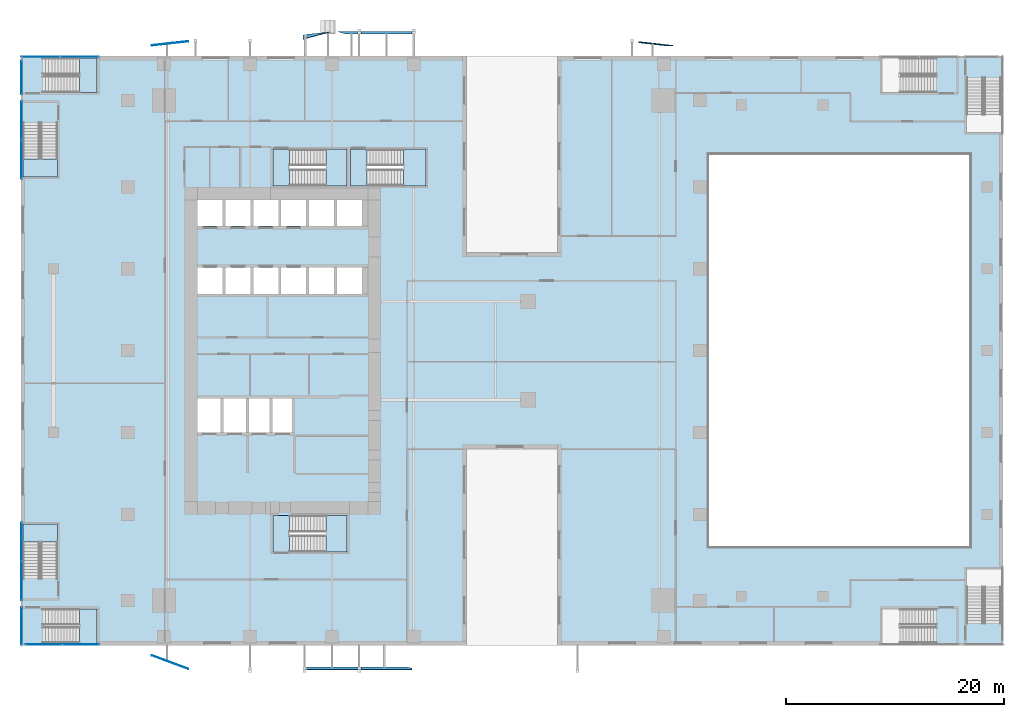
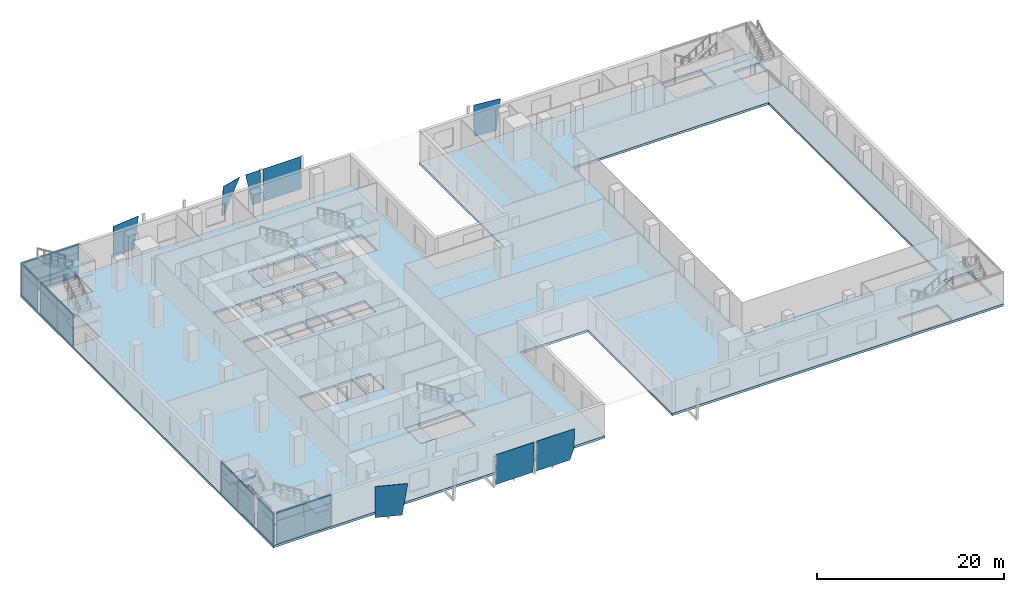
# One storey, part 8 of 21: 28 plates, 11 slabs, 13 elements without a shape of their own.
"""IFC4 building model written with IfcOpenShell, lengths in metres."""

from ifc_helpers import new_model, si_unit, direction, frame, origin, origin_2d, place, context, subcontext, project, spatial, polyline, rectangle, outline, extrude, source, transform, mapped, material, layer, layer_set, type_object, element, aggregate, save


model = new_model("IFC4")

# Units and contexts
model_context = context("Model", 3, precision=1e-05, world=origin(), true_north=direction((0.0, 1.0)))
body_context = subcontext(model_context, "Body", "Model", "MODEL_VIEW")
ifc_project = project(units=[si_unit("LENGTHUNIT", "METRE"), si_unit("AREAUNIT", "SQUARE_METRE"), si_unit("VOLUMEUNIT", "CUBIC_METRE"), si_unit("PLANEANGLEUNIT", "RADIAN"), si_unit("MASSUNIT", "GRAM", prefix="KILO")], contexts=[model_context])

# Site, building, storey
site_placement = place(None, origin())
site = spatial("IfcSite", under=ifc_project, at=site_placement, CompositionType="ELEMENT")
building_placement = place(site_placement, origin())
building = spatial("IfcBuilding", under=site, at=building_placement, Name="Khomas Fold Tower", CompositionType="ELEMENT")
storey_placement = place(building_placement, frame((0.0, 0.0, 28.5)))
storey = spatial("IfcBuildingStorey", under=building, at=storey_placement, Name="L05", CompositionType="ELEMENT", Elevation=28.5)

# Plates
ifc_material_1 = material(Name="Clear laminated glass", Category="glass")
ifc_layer_1 = layer(ifc_material_1, 0.0400390625)
ifc_layer_set_1 = layer_set([ifc_layer_1], Name="Clear laminated glass")
plate_type_1 = type_object("IfcPlateType", Name="SK-Clear laminated glass leaf", PredefinedType="SHEET", material=ifc_layer_set_1)
plate_1_placement = place(storey_placement, frame((6.33447265625, -2.137939453125, 4.050048828125), z_axis=(0.348052692412, 0.937474971991, 1.3979746e-05), x_axis=(-0.139608360826, 0.051846599826, -0.98884854031)))
element("IfcPlate", 1, at=plate_1_placement, inside=storey, type_object=plate_type_1, Name="OUTER SKIN glass L05 SG098-1", PredefinedType="SHEET", context=body_context, shape_type="SweptSolid", body=[
    extrude(outline(polyline([(0.0, 0.0), (4.095722108914045, 0.0), (4.534593148215177, 2.9140700523194694), (0.5297082763380947, 3.5172223299418808), (0.0, 0.0)])), origin(), (0.0, 0.0, -1.0), 0.0400390625),
])
plate_2_placement = place(storey_placement, frame((21.830078125, -2.212890625, 4.050048828125), z_axis=(0.0, 0.998627623239, 0.052372417398), x_axis=(0.0, 0.052372417398, -0.998627623239)))
element("IfcPlate", 2, at=plate_2_placement, inside=storey, type_object=plate_type_1, Name="OUTER SKIN glass L05 SG101-4", PredefinedType="SHEET", context=body_context, shape_type="SweptSolid", body=[
    extrude(outline(polyline([(0.0, 0.0), (4.055614659435384, 0.0), (4.055614659435384, 4.66015625), (0.0, 4.66015625), (0.0, 0.0)])), origin(), (0.0, 0.0, -1.0), 0.0400390625),
])
plate_3_placement = place(storey_placement, frame((26.830078125, -2.212890625, 4.050048828125), z_axis=(-9.655075e-06, 0.998627569161, 0.052373447642), x_axis=(3.1e-10, 0.052373447644, -0.998627569208)))
element("IfcPlate", 3, at=plate_3_placement, inside=storey, type_object=plate_type_1, Name="OUTER SKIN glass L05 SG102-6", PredefinedType="SHEET", context=body_context, shape_type="SweptSolid", body=[
    extrude(outline(polyline([(0.0, 0.0), (2.6740846462262167, -4.235164736271502e-22), (4.055614659298971, 0.43334961065165145), (4.055614657989482, 4.660156251079639), (-1.4437434207877212e-09, 4.660156249782789), (0.0, 0.0)])), origin(), (0.0, 0.0, -1.0), 0.0400390625),
])
plate_4_placement = place(storey_placement, frame((6.330078125, 55.31103515625, 4.050048828125), z_axis=(0.110671752794, -0.993857013406, 6.131637e-06), x_axis=(-0.139775365981, -0.015570907319, -0.990060803138)))
element("IfcPlate", 4, at=plate_4_placement, inside=storey, type_object=plate_type_1, Name="OUTER SKIN glass L05 NG098-1", PredefinedType="SHEET", context=body_context, shape_type="SweptSolid", body=[
    extrude(outline(polyline([(0.0, 0.0), (4.090707172166267, -1.1102230246251565e-16), (4.481653799280245, -2.7521399778874596), (0.4718592037587327, -3.3217387939909164), (0.0, 0.0)])), origin(), (0.0, 0.0, -1.0), 0.0400390625),
])
plate_5_placement = place(storey_placement, frame((19.28955078125, 56.191162109375, 4.05322265625), z_axis=(-0.257353139323, 0.962804507714, 0.082321574363), x_axis=(-0.458012067112, -0.046522106178, -0.887727796127)))
element("IfcPlate", 5, at=plate_5_placement, inside=storey, type_object=plate_type_1, Name="OUTER SKIN glass L05 NG101-4", PredefinedType="SHEET", context=body_context, shape_type="SweptSolid", body=[
    extrude(outline(polyline([(0.0, 0.0), (4.562272803376858, 0.0), (4.722385490671361, 0.3138192872770944), (1.1431501236322101, 2.2404272336108098), (0.0, 0.0)])), origin(), (0.0, 0.0, -1.0), 0.0400390625),
])
plate_6_placement = place(storey_placement, frame((20.039794921875, 56.212890625, 4.050048828125), z_axis=(0.0, -0.998627623239, 0.052372417398), x_axis=(1.0, 0.0, 0.0)))
element("IfcPlate", 6, at=plate_6_placement, inside=storey, type_object=plate_type_1, Name="OUTER SKIN glass L05 NG101-5", PredefinedType="SHEET", context=body_context, shape_type="SweptSolid", body=[
    extrude(outline(polyline([(0.0, 0.0), (1.790283203125, 0.0), (1.790283203125, -4.055614659435384), (0.7158203125, -4.055614659435384), (0.0, 0.0)])), origin(), (0.0, 0.0, -1.0), 0.0400390625),
])
plate_7_placement = place(storey_placement, frame((26.830078125, 56.212890625, 4.050048828125), z_axis=(0.0, -0.998627623239, 0.052372417398), x_axis=(0.0, -0.052372417398, -0.998627623239)))
element("IfcPlate", 7, at=plate_7_placement, inside=storey, type_object=plate_type_1, Name="OUTER SKIN glass L05 NG102-7", PredefinedType="SHEET", context=body_context, shape_type="SweptSolid", body=[
    extrude(outline(polyline([(0.0, 0.0), (4.055614659435384, 0.0), (4.055614659435384, -4.66015625), (0.0, -4.66015625), (0.0, 0.0)])), origin(), (0.0, 0.0, -1.0), 0.0400390625),
])
plate_8_placement = place(storey_placement, frame((47.60009765625, 55.271484375, 4.050048828125), z_axis=(-0.110637775871, -0.993738452639, 0.015593918591), x_axis=(0.993859299174, -0.110651224332, 3.80897e-07)))
element("IfcPlate", 8, at=plate_8_placement, inside=storey, type_object=plate_type_1, Name="OUTER SKIN glass L05 NG107-10", PredefinedType="SHEET", context=body_context, shape_type="SweptSolid", body=[
    extrude(outline(polyline([(0.0, 0.0), (3.1536343462793224, 8.673617379884035e-19), (2.585609214914533, -4.050542328710477), (0.007022216704433339, -4.050540145057488), (0.0, 0.0)])), origin(), (0.0, 0.0, -1.0), 0.0400390625),
])

# Slab
ifc_material_2 = material(Name="Concrete C40/50", Category="concrete")
ifc_layer_2 = layer(ifc_material_2, 0.300048828125)
ifc_layer_set_2 = layer_set([ifc_layer_2], Name="Concrete C40/50")
slab_type_1 = type_object("IfcSlabType", Name="RC floor slab 300", PredefinedType="FLOOR", material=ifc_layer_set_2)
shared_shape_1 = source(origin(), body_context, "Body", "SweptSolid", [
    extrude(outline(polyline([(-9.0, 0.0), (31.85009765625, 0.0), (31.85009765625, 18.0), (40.14990234375, 18.0), (40.14990234375, 0.0), (81.0, 0.0), (81.0, 54.0), (40.14990234375, 54.0), (40.14990234375, 36.0), (31.85009765625, 36.0), (31.85009765625, 54.0), (-9.0, 54.0), (-9.0, 0.0)]), holes=[polyline([(-8.800048828125, 6.2099609375), (-8.800048828125, 11.10009765625), (-5.64990234375, 11.10009765625), (-5.64990234375, 6.2099609375), (-8.800048828125, 6.2099609375)]), polyline([(-8.800048828125, 42.89990234375), (-8.800048828125, 47.7900390625), (-5.64990234375, 47.7900390625), (-5.64990234375, 42.89990234375), (-8.800048828125, 42.89990234375)]), polyline([(-6.889892578125, 0.199951171875), (-6.889892578125, 3.35009765625), (-2.0, 3.35009765625), (-2.0, 0.199951171875), (-6.889892578125, 0.199951171875)]), polyline([(-6.889892578125, 50.64990234375), (-6.889892578125, 53.800048828125), (-2.0, 53.800048828125), (-2.0, 50.64990234375), (-6.889892578125, 50.64990234375)]), polyline([(7.199951171875, 19.5), (7.199951171875, 22.60009765625), (9.300048828125, 22.60009765625), (9.300048828125, 19.5), (7.199951171875, 19.5)]), polyline([(7.199951171875, 32.199951171875), (7.199951171875, 34.60009765625), (9.5, 34.60009765625), (9.5, 32.199951171875), (7.199951171875, 32.199951171875)]), polyline([(7.199951171875, 38.39990234375), (7.199951171875, 40.800048828125), (9.5, 40.800048828125), (9.5, 38.39990234375), (7.199951171875, 38.39990234375)]), polyline([(9.550048828125, 19.5), (9.550048828125, 22.60009765625), (11.64990234375, 22.60009765625), (11.64990234375, 19.5), (9.550048828125, 19.5)]), polyline([(9.75, 32.199951171875), (9.75, 34.60009765625), (12.050048828125, 34.60009765625), (12.050048828125, 32.199951171875), (9.75, 32.199951171875)]), polyline([(9.75, 38.39990234375), (9.75, 40.800048828125), (12.050048828125, 40.800048828125), (12.050048828125, 38.39990234375), (9.75, 38.39990234375)]), polyline([(11.89990234375, 19.5), (11.89990234375, 22.60009765625), (13.800048828125, 22.60009765625), (13.800048828125, 19.5), (11.89990234375, 19.5)]), polyline([(12.300048828125, 32.199951171875), (12.300048828125, 34.60009765625), (14.60009765625, 34.60009765625), (14.60009765625, 32.199951171875), (12.300048828125, 32.199951171875)]), polyline([(12.300048828125, 38.39990234375), (12.300048828125, 40.800048828125), (14.60009765625, 40.800048828125), (14.60009765625, 38.39990234375), (12.300048828125, 38.39990234375)]), polyline([(14.050048828125, 19.5), (14.050048828125, 22.60009765625), (15.949951171875, 22.60009765625), (15.949951171875, 19.5), (14.050048828125, 19.5)]), polyline([(14.10009765625, 8.550048828125), (14.10009765625, 11.89990234375), (20.89990234375, 11.89990234375), (20.89990234375, 8.550048828125), (14.10009765625, 8.550048828125)]), polyline([(14.10009765625, 42.10009765625), (14.10009765625, 45.449951171875), (20.89990234375, 45.449951171875), (20.89990234375, 42.10009765625), (14.10009765625, 42.10009765625)]), polyline([(14.85009765625, 32.199951171875), (14.85009765625, 34.60009765625), (17.14990234375, 34.60009765625), (17.14990234375, 32.199951171875), (14.85009765625, 32.199951171875)]), polyline([(14.85009765625, 38.39990234375), (14.85009765625, 40.800048828125), (17.14990234375, 40.800048828125), (17.14990234375, 38.39990234375), (14.85009765625, 38.39990234375)]), polyline([(17.39990234375, 32.199951171875), (17.39990234375, 34.60009765625), (19.699951171875, 34.60009765625), (19.699951171875, 32.199951171875), (17.39990234375, 32.199951171875)]), polyline([(17.39990234375, 38.39990234375), (17.39990234375, 40.800048828125), (19.699951171875, 40.800048828125), (19.699951171875, 38.39990234375), (17.39990234375, 38.39990234375)]), polyline([(19.949951171875, 32.199951171875), (19.949951171875, 34.60009765625), (22.25, 34.60009765625), (22.25, 32.199951171875), (19.949951171875, 32.199951171875)]), polyline([(19.949951171875, 38.39990234375), (19.949951171875, 40.800048828125), (22.25, 40.800048828125), (22.25, 38.39990234375), (19.949951171875, 38.39990234375)]), polyline([(21.199951171875, 42.10009765625), (21.199951171875, 45.449951171875), (28.10009765625, 45.449951171875), (28.10009765625, 42.10009765625), (21.199951171875, 42.10009765625)]), polyline([(54.0, 9.0), (54.0, 45.0), (78.0, 45.0), (78.0, 9.0), (54.0, 9.0)]), polyline([(69.89990234375, 0.199951171875), (69.89990234375, 3.35009765625), (74.7900390625, 3.35009765625), (74.7900390625, 0.199951171875), (69.89990234375, 0.199951171875)]), polyline([(69.89990234375, 50.64990234375), (69.89990234375, 53.800048828125), (74.7900390625, 53.800048828125), (74.7900390625, 50.64990234375), (69.89990234375, 50.64990234375)]), polyline([(77.64990234375, 2.110107421875), (77.64990234375, 7.0), (80.800048828125, 7.0), (80.800048828125, 2.110107421875), (77.64990234375, 2.110107421875)]), polyline([(77.64990234375, 47.0), (77.64990234375, 51.889892578125), (80.800048828125, 51.889892578125), (80.800048828125, 47.0), (77.64990234375, 47.0)])]), origin(), (0.0, 0.0, 1.0), 0.300048828125),
])
slab_1_placement = place(storey_placement, frame((0.0, 0.0, -0.300048828125)))
element("IfcSlab", 9, at=slab_1_placement, inside=storey, type_object=slab_type_1, Name="S-L05", PredefinedType="FLOOR", context=body_context, shape_type="MappedRepresentation", body=[
    mapped(shared_shape_1, transform((0.0, 0.0, 0.0))),
])

# Curtain wall, plate
ifc_material_3 = material(Name="Aluminium framed double glazing", Category="aluminium")
curtain_wall_type = type_object("IfcCurtainWallType", Name="Shopfront glazing PD-CW", PredefinedType="NOTDEFINED", material=ifc_material_3)
curtain_wall_1_placement = place(storey_placement, origin())
curtain_wall_1 = element("IfcCurtainWall", 10, at=curtain_wall_1_placement, inside=storey, type_object=curtain_wall_type, Name="Podium stair-tower glazing", PredefinedType="NOTDEFINED")
ifc_material_4 = material(Name="Double glazed unit")
ifc_layer_3 = layer(ifc_material_4, 0.031982421875)
ifc_layer_set_3 = layer_set([ifc_layer_3], Name="Double glazed unit")
plate_type_2 = type_object("IfcPlateType", Name="Shopfront glazing panel PD-CW-P", PredefinedType="CURTAIN_PANEL", material=ifc_layer_set_3)
shared_shape_2 = source(origin(), body_context, "Body", "SweptSolid", [
    extrude(rectangle(XDim=3.0400390625, YDim=0.031982421875, at=origin_2d()), origin(), (0.0, 0.0, 1.0), 2.909912109375),
])
plate_9_placement = place(storey_placement, frame((-8.919921875, 52.02001953125, 0.06005859375), z_axis=(0.0, 0.0, 1.0), x_axis=(0.0, -1.0, 0.0)))
plate_9 = element("IfcPlate", 11, at=plate_9_placement, type_object=plate_type_2, Name="PD-CW panel 1.1", PredefinedType="CURTAIN_PANEL", context=body_context, shape_type="MappedRepresentation", body=[
    mapped(shared_shape_2, transform((0.0, 0.0, 0.0))),
])

# Curtain wall, plates
curtain_wall_2_placement = place(storey_placement, origin())
curtain_wall_2 = element("IfcCurtainWall", 12, at=curtain_wall_2_placement, inside=storey, type_object=curtain_wall_type, Name="Podium stair-tower glazing", PredefinedType="NOTDEFINED")
shared_shape_3 = source(origin(), body_context, "Body", "SweptSolid", [
    extrude(rectangle(XDim=3.52001953125, YDim=0.031982421875, at=origin_2d()), origin(), (0.0, 0.0, 1.0), 2.909912109375),
])
plate_10_placement = place(storey_placement, frame((-8.919921875, 48.090087890625, 0.06005859375), z_axis=(0.0, 0.0, 1.0), x_axis=(0.0, -1.0, 0.0)))
plate_10 = element("IfcPlate", 13, at=plate_10_placement, type_object=plate_type_2, Name="PD-CW panel 1.1", PredefinedType="CURTAIN_PANEL", context=body_context, shape_type="MappedRepresentation", body=[
    mapped(shared_shape_3, transform((0.0, 0.0, 0.0))),
])
plate_11_placement = place(storey_placement, frame((-8.919921875, 44.510009765625, 0.06005859375), z_axis=(0.0, 0.0, 1.0), x_axis=(0.0, -1.0, 0.0)))
plate_11 = element("IfcPlate", 14, at=plate_11_placement, type_object=plate_type_2, Name="PD-CW panel 2.1", PredefinedType="CURTAIN_PANEL", context=body_context, shape_type="MappedRepresentation", body=[
    mapped(shared_shape_3, transform((0.0, 0.0, 0.0))),
])

curtain_wall_3_placement = place(storey_placement, origin())
curtain_wall_3 = element("IfcCurtainWall", 15, at=curtain_wall_3_placement, inside=storey, type_object=curtain_wall_type, Name="Podium stair-tower glazing", PredefinedType="NOTDEFINED")
plate_12_placement = place(storey_placement, frame((-8.919921875, 9.489990234375, 0.06005859375), z_axis=(0.0, 0.0, 1.0), x_axis=(0.0, -1.0, 0.0)))
plate_12 = element("IfcPlate", 16, at=plate_12_placement, type_object=plate_type_2, Name="PD-CW panel 1.1", PredefinedType="CURTAIN_PANEL", context=body_context, shape_type="MappedRepresentation", body=[
    mapped(shared_shape_3, transform((0.0, 0.0, 0.0))),
])
plate_13_placement = place(storey_placement, frame((-8.919921875, 5.909912109375, 0.06005859375), z_axis=(0.0, 0.0, 1.0), x_axis=(0.0, -1.0, 0.0)))
plate_13 = element("IfcPlate", 17, at=plate_13_placement, type_object=plate_type_2, Name="PD-CW panel 2.1", PredefinedType="CURTAIN_PANEL", context=body_context, shape_type="MappedRepresentation", body=[
    mapped(shared_shape_3, transform((0.0, 0.0, 0.0))),
])

# Curtain wall, plate
curtain_wall_4_placement = place(storey_placement, origin())
curtain_wall_4 = element("IfcCurtainWall", 18, at=curtain_wall_4_placement, inside=storey, type_object=curtain_wall_type, Name="Podium stair-tower glazing", PredefinedType="NOTDEFINED")
shared_shape_4 = source(origin(), body_context, "Body", "SweptSolid", [
    extrude(rectangle(XDim=3.43994140625, YDim=0.031982421875, at=origin_2d()), origin(), (0.0, 0.0, 1.0), 2.909912109375),
])
plate_14_placement = place(storey_placement, frame((-8.919921875, 1.780029296875, 0.06005859375), z_axis=(0.0, 0.0, 1.0), x_axis=(0.0, -1.0, 0.0)))
plate_14 = element("IfcPlate", 19, at=plate_14_placement, type_object=plate_type_2, Name="PD-CW panel 1.1", PredefinedType="CURTAIN_PANEL", context=body_context, shape_type="MappedRepresentation", body=[
    mapped(shared_shape_4, transform((0.0, 0.0, 0.0))),
])

# Curtain wall, plates
curtain_wall_5_placement = place(storey_placement, origin())
curtain_wall_5 = element("IfcCurtainWall", 20, at=curtain_wall_5_placement, inside=storey, type_object=curtain_wall_type, Name="Podium stair-tower glazing", PredefinedType="NOTDEFINED")
shared_shape_5 = source(origin(), body_context, "Body", "SweptSolid", [
    extrude(rectangle(XDim=3.31494140625, YDim=0.031982421875, at=origin_2d()), origin(), (0.0, 0.0, 1.0), 2.909912109375),
])
plate_15_placement = place(storey_placement, frame((-6.882568359375, 0.080078125, 0.06005859375), z_axis=(0.0, 0.0, 1.0), x_axis=(1.0, 0.0, 0.0)))
plate_15 = element("IfcPlate", 21, at=plate_15_placement, type_object=plate_type_2, Name="PD-CW panel 1.1", PredefinedType="CURTAIN_PANEL", context=body_context, shape_type="MappedRepresentation", body=[
    mapped(shared_shape_5, transform((0.0, 0.0, 0.0))),
])
plate_16_placement = place(storey_placement, frame((-3.507568359375, 0.080078125, 0.06005859375), z_axis=(0.0, 0.0, 1.0), x_axis=(1.0, 0.0, 0.0)))
plate_16 = element("IfcPlate", 22, at=plate_16_placement, type_object=plate_type_2, Name="PD-CW panel 2.1", PredefinedType="CURTAIN_PANEL", context=body_context, shape_type="MappedRepresentation", body=[
    mapped(shared_shape_5, transform((0.0, 0.0, 0.0))),
])

curtain_wall_6_placement = place(storey_placement, origin())
curtain_wall_6 = element("IfcCurtainWall", 23, at=curtain_wall_6_placement, inside=storey, type_object=curtain_wall_type, Name="Podium stair-tower glazing", PredefinedType="NOTDEFINED")
shared_shape_6 = source(origin(), body_context, "Body", "SweptSolid", [
    extrude(rectangle(XDim=3.514892578125, YDim=0.031982421875, at=origin_2d()), origin(), (0.0, 0.0, 1.0), 2.909912109375),
])
plate_17_placement = place(storey_placement, frame((-3.607421875, 53.919921875, 0.06005859375), z_axis=(0.0, 0.0, 1.0), x_axis=(-1.0, 0.0, 0.0)))
plate_17 = element("IfcPlate", 24, at=plate_17_placement, type_object=plate_type_2, Name="PD-CW panel 1.1", PredefinedType="CURTAIN_PANEL", context=body_context, shape_type="MappedRepresentation", body=[
    mapped(shared_shape_6, transform((0.0, 0.0, 0.0))),
])
plate_18_placement = place(storey_placement, frame((-7.1826171875, 53.919921875, 0.06005859375), z_axis=(0.0, 0.0, 1.0), x_axis=(-1.0, 0.0, 0.0)))
plate_18 = element("IfcPlate", 25, at=plate_18_placement, type_object=plate_type_2, Name="PD-CW panel 2.1", PredefinedType="CURTAIN_PANEL", context=body_context, shape_type="MappedRepresentation", body=[
    mapped(shared_shape_6, transform((0.0, 0.0, 0.0))),
])

# Plate
shared_shape_7 = source(origin(), body_context, "Body", "SweptSolid", [
    extrude(rectangle(XDim=3.0400390625, YDim=0.031982421875, at=origin_2d()), origin(), (0.0, 0.0, 1.0), 1.110107421875),
])
plate_19_placement = place(storey_placement, frame((-8.919921875, 52.02001953125, 3.02978515625), z_axis=(0.0, 0.0, 1.0), x_axis=(0.0, -1.0, 0.0)))
plate_19 = element("IfcPlate", 26, at=plate_19_placement, type_object=plate_type_2, Name="PD-CW panel 1.2", PredefinedType="CURTAIN_PANEL", context=body_context, shape_type="MappedRepresentation", body=[
    mapped(shared_shape_7, transform((0.0, 0.0, 0.0))),
])

aggregate(curtain_wall_1, [plate_9, plate_19])

shared_shape_8 = source(origin(), body_context, "Body", "SweptSolid", [
    extrude(rectangle(XDim=3.52001953125, YDim=0.031982421875, at=origin_2d()), origin(), (0.0, 0.0, 1.0), 1.110107421875),
])
plate_20_placement = place(storey_placement, frame((-8.919921875, 48.090087890625, 3.02978515625), z_axis=(0.0, 0.0, 1.0), x_axis=(0.0, -1.0, 0.0)))
plate_20 = element("IfcPlate", 27, at=plate_20_placement, type_object=plate_type_2, Name="PD-CW panel 1.2", PredefinedType="CURTAIN_PANEL", context=body_context, shape_type="MappedRepresentation", body=[
    mapped(shared_shape_8, transform((0.0, 0.0, 0.0))),
])

plate_21_placement = place(storey_placement, frame((-8.919921875, 44.510009765625, 3.02978515625), z_axis=(0.0, 0.0, 1.0), x_axis=(0.0, -1.0, 0.0)))
plate_21 = element("IfcPlate", 28, at=plate_21_placement, type_object=plate_type_2, Name="PD-CW panel 2.2", PredefinedType="CURTAIN_PANEL", context=body_context, shape_type="MappedRepresentation", body=[
    mapped(shared_shape_8, transform((0.0, 0.0, 0.0))),
])

aggregate(curtain_wall_2, [plate_10, plate_20, plate_11, plate_21])

plate_22_placement = place(storey_placement, frame((-8.919921875, 9.489990234375, 3.02978515625), z_axis=(0.0, 0.0, 1.0), x_axis=(0.0, -1.0, 0.0)))
plate_22 = element("IfcPlate", 29, at=plate_22_placement, type_object=plate_type_2, Name="PD-CW panel 1.2", PredefinedType="CURTAIN_PANEL", context=body_context, shape_type="MappedRepresentation", body=[
    mapped(shared_shape_8, transform((0.0, 0.0, 0.0))),
])

plate_23_placement = place(storey_placement, frame((-8.919921875, 5.909912109375, 3.02978515625), z_axis=(0.0, 0.0, 1.0), x_axis=(0.0, -1.0, 0.0)))
plate_23 = element("IfcPlate", 30, at=plate_23_placement, type_object=plate_type_2, Name="PD-CW panel 2.2", PredefinedType="CURTAIN_PANEL", context=body_context, shape_type="MappedRepresentation", body=[
    mapped(shared_shape_8, transform((0.0, 0.0, 0.0))),
])

aggregate(curtain_wall_3, [plate_12, plate_22, plate_13, plate_23])

shared_shape_9 = source(origin(), body_context, "Body", "SweptSolid", [
    extrude(rectangle(XDim=3.43994140625, YDim=0.031982421875, at=origin_2d()), origin(), (0.0, 0.0, 1.0), 1.110107421875),
])
plate_24_placement = place(storey_placement, frame((-8.919921875, 1.780029296875, 3.02978515625), z_axis=(0.0, 0.0, 1.0), x_axis=(0.0, -1.0, 0.0)))
plate_24 = element("IfcPlate", 31, at=plate_24_placement, type_object=plate_type_2, Name="PD-CW panel 1.2", PredefinedType="CURTAIN_PANEL", context=body_context, shape_type="MappedRepresentation", body=[
    mapped(shared_shape_9, transform((0.0, 0.0, 0.0))),
])

aggregate(curtain_wall_4, [plate_14, plate_24])

shared_shape_10 = source(origin(), body_context, "Body", "SweptSolid", [
    extrude(rectangle(XDim=3.31494140625, YDim=0.031982421875, at=origin_2d()), origin(), (0.0, 0.0, 1.0), 1.110107421875),
])
plate_25_placement = place(storey_placement, frame((-6.882568359375, 0.080078125, 3.02978515625), z_axis=(0.0, 0.0, 1.0), x_axis=(1.0, 0.0, 0.0)))
plate_25 = element("IfcPlate", 32, at=plate_25_placement, type_object=plate_type_2, Name="PD-CW panel 1.2", PredefinedType="CURTAIN_PANEL", context=body_context, shape_type="MappedRepresentation", body=[
    mapped(shared_shape_10, transform((0.0, 0.0, 0.0))),
])

plate_26_placement = place(storey_placement, frame((-3.507568359375, 0.080078125, 3.02978515625), z_axis=(0.0, 0.0, 1.0), x_axis=(1.0, 0.0, 0.0)))
plate_26 = element("IfcPlate", 33, at=plate_26_placement, type_object=plate_type_2, Name="PD-CW panel 2.2", PredefinedType="CURTAIN_PANEL", context=body_context, shape_type="MappedRepresentation", body=[
    mapped(shared_shape_10, transform((0.0, 0.0, 0.0))),
])

aggregate(curtain_wall_5, [plate_15, plate_25, plate_16, plate_26])

shared_shape_11 = source(origin(), body_context, "Body", "SweptSolid", [
    extrude(rectangle(XDim=3.514892578125, YDim=0.031982421875, at=origin_2d()), origin(), (0.0, 0.0, 1.0), 1.110107421875),
])
plate_27_placement = place(storey_placement, frame((-3.607421875, 53.919921875, 3.02978515625), z_axis=(0.0, 0.0, 1.0), x_axis=(-1.0, 0.0, 0.0)))
plate_27 = element("IfcPlate", 34, at=plate_27_placement, type_object=plate_type_2, Name="PD-CW panel 1.2", PredefinedType="CURTAIN_PANEL", context=body_context, shape_type="MappedRepresentation", body=[
    mapped(shared_shape_11, transform((0.0, 0.0, 0.0))),
])

plate_28_placement = place(storey_placement, frame((-7.1826171875, 53.919921875, 3.02978515625), z_axis=(0.0, 0.0, 1.0), x_axis=(-1.0, 0.0, 0.0)))
plate_28 = element("IfcPlate", 35, at=plate_28_placement, type_object=plate_type_2, Name="PD-CW panel 2.2", PredefinedType="CURTAIN_PANEL", context=body_context, shape_type="MappedRepresentation", body=[
    mapped(shared_shape_11, transform((0.0, 0.0, 0.0))),
])

aggregate(curtain_wall_6, [plate_17, plate_27, plate_18, plate_28])

# Stair, slab
ifc_material_5 = material(Name="Concrete C40/50", Category="concrete")
stair_type_1 = type_object("IfcStairType", Name="Stair ST1", PredefinedType="HALF_TURN_STAIR", material=ifc_material_5)
stair_1_placement = place(storey_placement, origin())
stair_1 = element("IfcStair", 36, at=stair_1_placement, inside=storey, type_object=stair_type_1, Name="L05 ST1", PredefinedType="HALF_TURN_STAIR")
ifc_material_6 = material(Name="Concrete C40/50", Category="concrete")
ifc_layer_4 = layer(ifc_material_6, 0.199951171875)
ifc_layer_set_4 = layer_set([ifc_layer_4], Name="Concrete C40/50")
slab_type_2 = type_object("IfcSlabType", Name="Stair landing 200", PredefinedType="LANDING", material=ifc_layer_set_4)
shared_shape_12 = source(origin(), body_context, "Body", "SweptSolid", [
    extrude(outline(polyline([(18.9599609375, 42.10009765625), (20.89990234375, 42.10009765625), (20.89990234375, 45.449951171875), (18.9599609375, 45.449951171875), (18.9599609375, 42.10009765625)])), origin(), (0.0, 0.0, 1.0), 0.199951171875),
])
slab_2_placement = place(storey_placement, frame((0.0, 0.0, 2.050048828125)))
slab_2 = element("IfcSlab", 37, at=slab_2_placement, type_object=slab_type_2, Name="ST1 landing 1", PredefinedType="LANDING", context=body_context, shape_type="MappedRepresentation", body=[
    mapped(shared_shape_12, transform((0.0, 0.0, 0.0))),
])
aggregate(stair_1, [slab_2])

# Slab
ifc_material_7 = material(Name="Concrete C40/50", Category="concrete")
ifc_layer_5 = layer(ifc_material_7, 0.300048828125)
ifc_layer_set_5 = layer_set([ifc_layer_5], Name="Concrete C40/50")
slab_type_3 = type_object("IfcSlabType", Name="Stair floor landing 300", PredefinedType="LANDING", material=ifc_layer_set_5)
shared_shape_13 = source(origin(), body_context, "Body", "SweptSolid", [
    extrude(outline(polyline([(14.10009765625, 45.449951171875), (15.60009765625, 45.449951171875), (15.60009765625, 42.10009765625), (14.10009765625, 42.10009765625), (14.10009765625, 45.449951171875)])), origin(), (0.0, 0.0, 1.0), 0.300048828125),
])
slab_3_placement = place(storey_placement, frame((0.0, 0.0, -0.300048828125)))
element("IfcSlab", 38, at=slab_3_placement, inside=storey, type_object=slab_type_3, Name="ST1 floor landing", PredefinedType="LANDING", context=body_context, shape_type="MappedRepresentation", body=[
    mapped(shared_shape_13, transform((0.0, 0.0, 0.0))),
])

# Stair, slab
ifc_material_8 = material(Name="Concrete C40/50", Category="concrete")
stair_type_2 = type_object("IfcStairType", Name="Stair ST2", PredefinedType="HALF_TURN_STAIR", material=ifc_material_8)
stair_2_placement = place(storey_placement, origin())
stair_2 = element("IfcStair", 39, at=stair_2_placement, inside=storey, type_object=stair_type_2, Name="L05 ST2", PredefinedType="HALF_TURN_STAIR")
shared_shape_14 = source(origin(), body_context, "Body", "SweptSolid", [
    extrude(outline(polyline([(18.9599609375, 8.550048828125), (20.89990234375, 8.550048828125), (20.89990234375, 11.89990234375), (18.9599609375, 11.89990234375), (18.9599609375, 8.550048828125)])), origin(), (0.0, 0.0, 1.0), 0.199951171875),
])
slab_4_placement = place(storey_placement, frame((0.0, 0.0, 2.050048828125)))
slab_4 = element("IfcSlab", 40, at=slab_4_placement, type_object=slab_type_2, Name="ST2 landing 1", PredefinedType="LANDING", context=body_context, shape_type="MappedRepresentation", body=[
    mapped(shared_shape_14, transform((0.0, 0.0, 0.0))),
])
aggregate(stair_2, [slab_4])

# Slab
shared_shape_15 = source(origin(), body_context, "Body", "SweptSolid", [
    extrude(outline(polyline([(14.10009765625, 11.89990234375), (15.60009765625, 11.89990234375), (15.60009765625, 8.550048828125), (14.10009765625, 8.550048828125), (14.10009765625, 11.89990234375)])), origin(), (0.0, 0.0, 1.0), 0.300048828125),
])
slab_5_placement = place(storey_placement, frame((0.0, 0.0, -0.300048828125)))
element("IfcSlab", 41, at=slab_5_placement, inside=storey, type_object=slab_type_3, Name="ST2 floor landing", PredefinedType="LANDING", context=body_context, shape_type="MappedRepresentation", body=[
    mapped(shared_shape_15, transform((0.0, 0.0, 0.0))),
])

# Stair, slab
ifc_material_9 = material(Name="Concrete C40/50", Category="concrete")
stair_type_3 = type_object("IfcStairType", Name="Stair ST3", PredefinedType="HALF_TURN_STAIR", material=ifc_material_9)
stair_3_placement = place(storey_placement, origin())
stair_3 = element("IfcStair", 42, at=stair_3_placement, inside=storey, type_object=stair_type_3, Name="L05 ST3", PredefinedType="HALF_TURN_STAIR")
shared_shape_16 = source(origin(), body_context, "Body", "SweptSolid", [
    extrude(outline(polyline([(26.06005859375, 42.10009765625), (28.10009765625, 42.10009765625), (28.10009765625, 45.449951171875), (26.06005859375, 45.449951171875), (26.06005859375, 42.10009765625)])), origin(), (0.0, 0.0, 1.0), 0.199951171875),
])
slab_6_placement = place(storey_placement, frame((0.0, 0.0, 2.050048828125)))
slab_6 = element("IfcSlab", 43, at=slab_6_placement, type_object=slab_type_2, Name="ST3 landing 1", PredefinedType="LANDING", context=body_context, shape_type="MappedRepresentation", body=[
    mapped(shared_shape_16, transform((0.0, 0.0, 0.0))),
])
aggregate(stair_3, [slab_6])

# Slab
shared_shape_17 = source(origin(), body_context, "Body", "SweptSolid", [
    extrude(outline(polyline([(21.199951171875, 45.449951171875), (22.699951171875, 45.449951171875), (22.699951171875, 42.10009765625), (21.199951171875, 42.10009765625), (21.199951171875, 45.449951171875)])), origin(), (0.0, 0.0, 1.0), 0.300048828125),
])
slab_7_placement = place(storey_placement, frame((0.0, 0.0, -0.300048828125)))
element("IfcSlab", 44, at=slab_7_placement, inside=storey, type_object=slab_type_3, Name="ST3 floor landing", PredefinedType="LANDING", context=body_context, shape_type="MappedRepresentation", body=[
    mapped(shared_shape_17, transform((0.0, 0.0, 0.0))),
])

# Stair, slab
ifc_material_10 = material(Name="Concrete C40/50", Category="concrete")
stair_type_4 = type_object("IfcStairType", Name="Stair PS1", PredefinedType="HALF_TURN_STAIR", material=ifc_material_10)
stair_4_placement = place(storey_placement, origin())
stair_4 = element("IfcStair", 45, at=stair_4_placement, inside=storey, type_object=stair_type_4, Name="L05 PS1", PredefinedType="HALF_TURN_STAIR")
shared_shape_18 = source(origin(), body_context, "Body", "SweptSolid", [
    extrude(outline(polyline([(-3.639892578125, 0.199951171875), (-2.0, 0.199951171875), (-2.0, 3.35009765625), (-3.639892578125, 3.35009765625), (-3.639892578125, 0.199951171875)])), origin(), (0.0, 0.0, 1.0), 0.199951171875),
])
slab_8_placement = place(storey_placement, frame((0.0, 0.0, 2.050048828125)))
slab_8 = element("IfcSlab", 46, at=slab_8_placement, type_object=slab_type_2, Name="PS1 landing 1", PredefinedType="LANDING", context=body_context, shape_type="MappedRepresentation", body=[
    mapped(shared_shape_18, transform((0.0, 0.0, 0.0))),
])
aggregate(stair_4, [slab_8])

ifc_material_11 = material(Name="Concrete C40/50", Category="concrete")
stair_type_5 = type_object("IfcStairType", Name="Stair PS2", PredefinedType="HALF_TURN_STAIR", material=ifc_material_11)
stair_5_placement = place(storey_placement, origin())
stair_5 = element("IfcStair", 47, at=stair_5_placement, inside=storey, type_object=stair_type_5, Name="L05 PS2", PredefinedType="HALF_TURN_STAIR")
shared_shape_19 = source(origin(), body_context, "Body", "SweptSolid", [
    extrude(outline(polyline([(-5.64990234375, 9.4599609375), (-5.64990234375, 11.10009765625), (-8.800048828125, 11.10009765625), (-8.800048828125, 9.4599609375), (-5.64990234375, 9.4599609375)])), origin(), (0.0, 0.0, 1.0), 0.199951171875),
])
slab_9_placement = place(storey_placement, frame((0.0, 0.0, 2.050048828125)))
slab_9 = element("IfcSlab", 48, at=slab_9_placement, type_object=slab_type_2, Name="PS2 landing 1", PredefinedType="LANDING", context=body_context, shape_type="MappedRepresentation", body=[
    mapped(shared_shape_19, transform((0.0, 0.0, 0.0))),
])
aggregate(stair_5, [slab_9])

ifc_material_12 = material(Name="Concrete C40/50", Category="concrete")
stair_type_6 = type_object("IfcStairType", Name="Stair PS7", PredefinedType="HALF_TURN_STAIR", material=ifc_material_12)
stair_6_placement = place(storey_placement, origin())
stair_6 = element("IfcStair", 49, at=stair_6_placement, inside=storey, type_object=stair_type_6, Name="L05 PS7", PredefinedType="HALF_TURN_STAIR")
shared_shape_20 = source(origin(), body_context, "Body", "SweptSolid", [
    extrude(outline(polyline([(-3.639892578125, 50.64990234375), (-2.0, 50.64990234375), (-2.0, 53.800048828125), (-3.639892578125, 53.800048828125), (-3.639892578125, 50.64990234375)])), origin(), (0.0, 0.0, 1.0), 0.199951171875),
])
slab_10_placement = place(storey_placement, frame((0.0, 0.0, 2.050048828125)))
slab_10 = element("IfcSlab", 50, at=slab_10_placement, type_object=slab_type_2, Name="PS7 landing 1", PredefinedType="LANDING", context=body_context, shape_type="MappedRepresentation", body=[
    mapped(shared_shape_20, transform((0.0, 0.0, 0.0))),
])
aggregate(stair_6, [slab_10])

ifc_material_13 = material(Name="Concrete C40/50", Category="concrete")
stair_type_7 = type_object("IfcStairType", Name="Stair PS8", PredefinedType="HALF_TURN_STAIR", material=ifc_material_13)
stair_7_placement = place(storey_placement, origin())
stair_7 = element("IfcStair", 51, at=stair_7_placement, inside=storey, type_object=stair_type_7, Name="L05 PS8", PredefinedType="HALF_TURN_STAIR")
shared_shape_21 = source(origin(), body_context, "Body", "SweptSolid", [
    extrude(outline(polyline([(-8.800048828125, 44.5400390625), (-8.800048828125, 42.89990234375), (-5.64990234375, 42.89990234375), (-5.64990234375, 44.5400390625), (-8.800048828125, 44.5400390625)])), origin(), (0.0, 0.0, 1.0), 0.199951171875),
])
slab_11_placement = place(storey_placement, frame((0.0, 0.0, 2.050048828125)))
slab_11 = element("IfcSlab", 52, at=slab_11_placement, type_object=slab_type_2, Name="PS8 landing 1", PredefinedType="LANDING", context=body_context, shape_type="MappedRepresentation", body=[
    mapped(shared_shape_21, transform((0.0, 0.0, 0.0))),
])
aggregate(stair_7, [slab_11])

save(model, "model.ifc")
